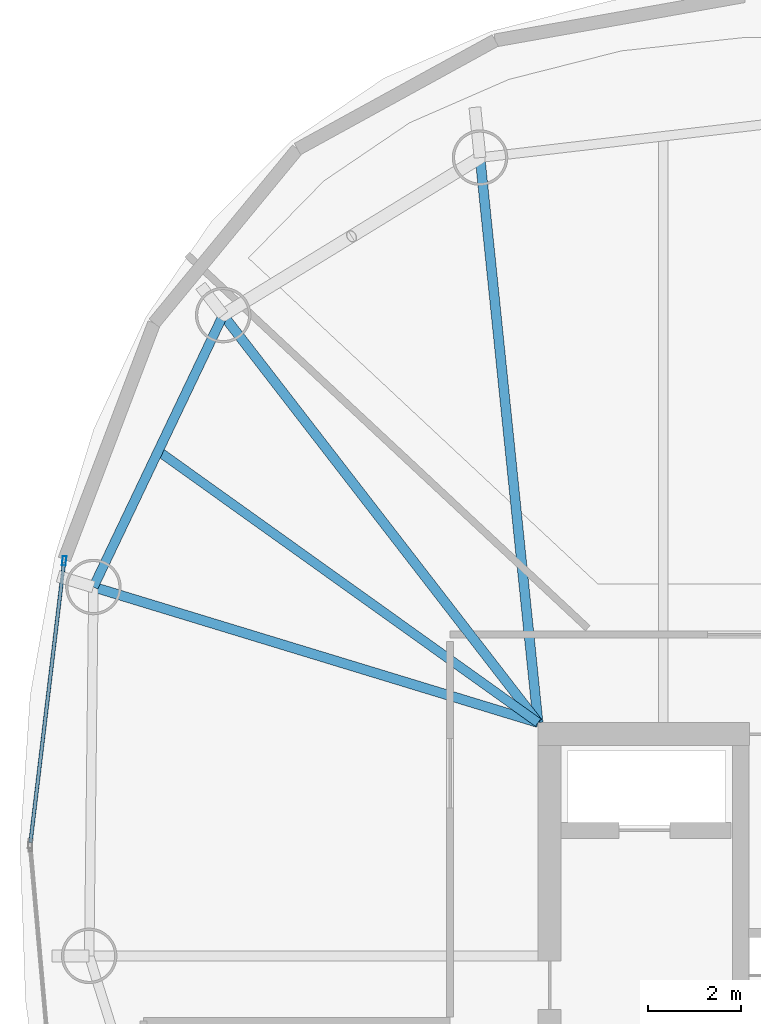
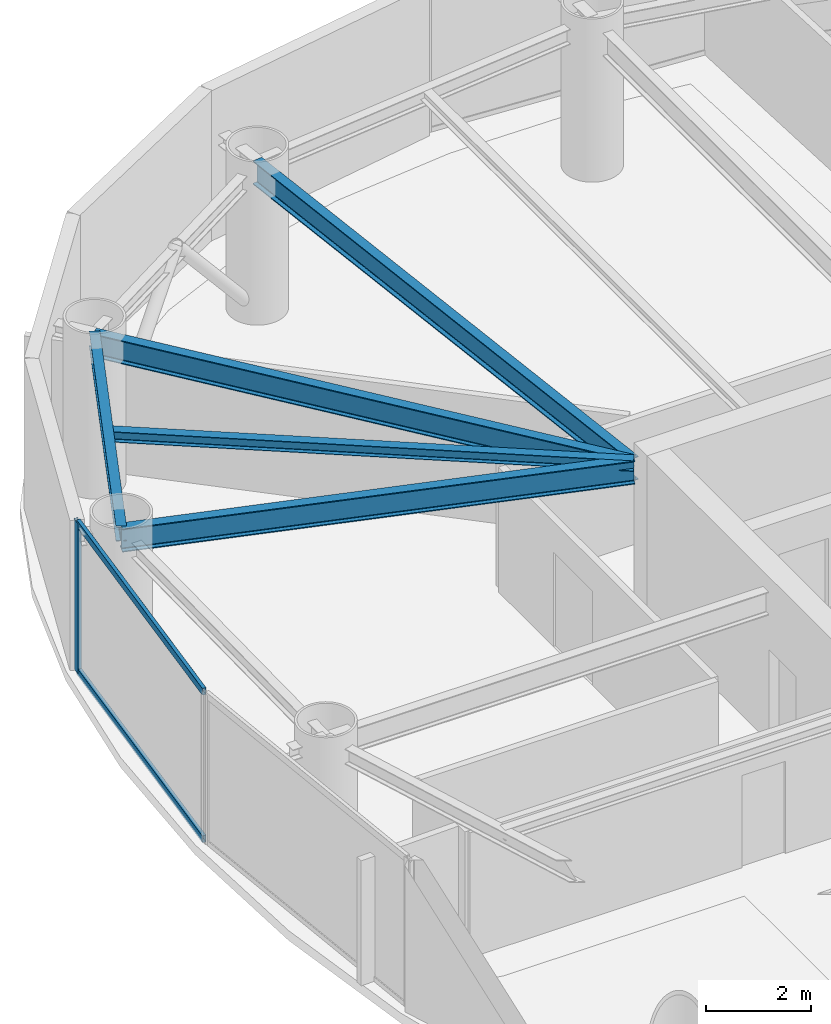
# One storey, part 8 of 18: 5 beams, 3 members, 1 element without a shape of its own.
"""IFC4 building model written with IfcOpenShell, lengths in metres."""

from ifc_helpers import new_model, si_unit, direction, frame, origin, origin_2d, place, context, subcontext, project, spatial, hollow_rectangle, i_section, extrude, material, layer, layer_set, material_profile, profile_set, type_object, element, aggregate, save


model = new_model("IFC4")

# Units and contexts
model_context = context("Model", 3, precision=1e-05, world=origin(), true_north=direction((0.0, 1.0)))
body_context = subcontext(model_context, "Body", "Model", "MODEL_VIEW")
ifc_project = project(units=[si_unit("LENGTHUNIT", "METRE"), si_unit("AREAUNIT", "SQUARE_METRE"), si_unit("VOLUMEUNIT", "CUBIC_METRE"), si_unit("PLANEANGLEUNIT", "RADIAN"), si_unit("MASSUNIT", "GRAM", prefix="KILO")], contexts=[model_context])

# Site, building, storey
site_placement = place(None, origin())
site = spatial("IfcSite", under=ifc_project, at=site_placement, CompositionType="ELEMENT")
building_placement = place(site_placement, origin())
building = spatial("IfcBuilding", under=site, at=building_placement, Name="Bramvorn Convention Spire", CompositionType="ELEMENT")
storey_placement = place(building_placement, frame((0.0, 0.0, 232.800048828125)))
storey = spatial("IfcBuildingStorey", under=building, at=storey_placement, Name="L59", CompositionType="ELEMENT", Elevation=232.800048828125)

# Beams
ifc_material_1 = material(Name="Steel CSA G40.21 Grade 350 (350W)", Category="steel")
ifc_material_profile_1 = material_profile(ifc_material_1, i_section(OverallWidth=0.201904296875, OverallDepth=0.2470703125, WebThickness=0.00732421875, FlangeThickness=0.010986328125, FilletRadius=0.011962890625, at=origin_2d()))
ifc_profile_set_1 = profile_set([ifc_material_profile_1], Name="Steel CSA G40.21 Grade 350 (350W) - W250X49")
beam_type_1 = type_object("IfcBeamType", Name="BM-W250X49", PredefinedType="JOIST", material=ifc_profile_set_1)
beam_1_placement = place(storey_placement, frame((26.75, 33.449951171875, 3.37646484375), z_axis=(-0.813471895271, 0.581604225916, 0.0), x_axis=(-0.581604225916, -0.813471895271, 0.0)))
element("IfcBeam", 1, at=beam_1_placement, inside=storey, type_object=beam_type_1, Name="L59 composite floor joist 09", PredefinedType="JOIST", context=body_context, shape_type="SweptSolid", body=[
    extrude(i_section(OverallWidth=0.201904296875, OverallDepth=0.2470703125, WebThickness=0.00732421875, FlangeThickness=0.010986328125, FilletRadius=0.011962890625, at=origin_2d()), origin(), (0.0, 0.0, 1.0), 10.093505859375),
])
ifc_material_profile_2 = material_profile(ifc_material_1, i_section(OverallWidth=0.205078125, OverallDepth=0.35400390625, WebThickness=0.009521484375, FlangeThickness=0.016845703125, FilletRadius=0.014892578125, at=origin_2d()))
ifc_profile_set_2 = profile_set([ifc_material_profile_2], Name="Steel CSA G40.21 Grade 350 (350W) - W360X79")
beam_type_2 = type_object("IfcBeamType", Name="BM-W360X79", PredefinedType="JOIST", material=ifc_profile_set_2)
beam_2_placement = place(storey_placement, frame((19.941650390625, 42.260009765625, 3.322998046875), z_axis=(-0.430556138422, -0.902563799223, 0.0), x_axis=(0.902563799223, -0.430556138422, 0.0)))
element("IfcBeam", 2, at=beam_2_placement, inside=storey, type_object=beam_type_2, Name="L59 mega-column ring beam 09", PredefinedType="JOIST", context=body_context, shape_type="SweptSolid", body=[
    extrude(i_section(OverallWidth=0.205078125, OverallDepth=0.35400390625, WebThickness=0.009521484375, FlangeThickness=0.016845703125, FilletRadius=0.014892578125, at=origin_2d()), origin(), (0.0, 0.0, 1.0), 6.51416015625),
])
ifc_material_profile_3 = material_profile(ifc_material_1, i_section(OverallWidth=0.2119140625, OverallDepth=0.5439453125, WebThickness=0.01318359375, FlangeThickness=0.021240234375, FilletRadius=0.01904296875, at=origin_2d()))
ifc_profile_set_3 = profile_set([ifc_material_profile_3], Name="Steel CSA G40.21 Grade 350 (350W) - W530X123")
beam_type_3 = type_object("IfcBeamType", Name="BM-W530X123", PredefinedType="BEAM", material=ifc_profile_set_3)
beam_3_placement = place(storey_placement, frame((26.75, 33.449951171875, 3.22802734375), z_axis=(-0.10216509146, 0.994767457292, 0.0), x_axis=(-0.994767457292, -0.10216509146, 0.0)))
element("IfcBeam", 3, at=beam_3_placement, inside=storey, type_object=beam_type_3, Name="L59 radial floor girder MC08", PredefinedType="BEAM", context=body_context, shape_type="SweptSolid", body=[
    extrude(i_section(OverallWidth=0.2119140625, OverallDepth=0.5439453125, WebThickness=0.01318359375, FlangeThickness=0.021240234375, FilletRadius=0.01904296875, at=origin_2d()), origin(), (0.0, 0.0, 1.0), 12.278076171875),
])
beam_4_placement = place(storey_placement, frame((26.75, 33.449951171875, 3.22802734375), z_axis=(-0.611479951477, 0.791259925019, 0.0), x_axis=(-0.791259925019, -0.611479951477, 0.0)))
element("IfcBeam", 4, at=beam_4_placement, inside=storey, type_object=beam_type_3, Name="L59 radial floor girder MC09", PredefinedType="BEAM", context=body_context, shape_type="SweptSolid", body=[
    extrude(i_section(OverallWidth=0.2119140625, OverallDepth=0.5439453125, WebThickness=0.01318359375, FlangeThickness=0.021240234375, FilletRadius=0.01904296875, at=origin_2d()), origin(), (0.0, 0.0, 1.0), 11.13427734375),
])
beam_5_placement = place(storey_placement, frame((26.75, 33.449951171875, 3.22802734375), z_axis=(-0.95653637984, 0.291613021044, 0.0), x_axis=(-0.291613021044, -0.95653637984, 0.0)))
element("IfcBeam", 5, at=beam_5_placement, inside=storey, type_object=beam_type_3, Name="L59 radial floor girder MC10", PredefinedType="BEAM", context=body_context, shape_type="SweptSolid", body=[
    extrude(i_section(OverallWidth=0.2119140625, OverallDepth=0.5439453125, WebThickness=0.01318359375, FlangeThickness=0.021240234375, FilletRadius=0.01904296875, at=origin_2d()), origin(), (0.0, 0.0, 1.0), 10.0498046875),
])

# Curtain wall, members
ifc_material_2 = material(Name="Anodised Bronze Unitised Curtain Wall", Category="aluminium")
ifc_layer = layer(ifc_material_2, 0.179931640625)
ifc_layer_set = layer_set([ifc_layer], Name="Anodised Bronze Unitised Curtain Wall - CW-OFF-FRIT")
curtain_wall_type = type_object("IfcCurtainWallType", Name="CW-OFF-FRIT", PredefinedType="USERDEFINED", material=ifc_layer_set)
curtain_wall_placement = place(storey_placement, origin())
curtain_wall = element("IfcCurtainWall", 6, at=curtain_wall_placement, inside=storey, type_object=curtain_wall_type, Name="L59 fritted glass curtain wall 15", ObjectType="UNITISED CURTAIN WALL", PredefinedType="USERDEFINED")
ifc_material_3 = material(Name="Anodised Bronze Aluminium 6063-T6", Category="aluminium")
ifc_material_profile_4 = material_profile(ifc_material_3, hollow_rectangle(XDim=0.080078125, YDim=0.199951171875, WallThickness=0.00390625, InnerFilletRadius=0.0009765625, OuterFilletRadius=0.00390625, at=origin_2d()))
ifc_profile_set_4 = profile_set([ifc_material_profile_4], Name="Anodised Bronze Aluminium 6063-T6 - CWM80X200")
member_type_1 = type_object("IfcMemberType", Name="CW-MUL-180", PredefinedType="MULLION", material=ifc_profile_set_4)
member_1_placement = place(storey_placement, frame((16.505615234375, 36.947509765625, 0.0), z_axis=(0.0, 0.0, 1.0), x_axis=(-0.992906522495, 0.118897592856, 0.0)))
member_1 = element("IfcMember", 7, at=member_1_placement, type_object=member_type_1, Name="CW3 mullion 2", PredefinedType="MULLION", context=body_context, shape_type="SweptSolid", body=[
    extrude(hollow_rectangle(XDim=0.080078125, YDim=0.199951171875, WallThickness=0.00390625, InnerFilletRadius=0.0009765625, OuterFilletRadius=0.00390625, at=origin_2d()), origin(), (0.0, 0.0, 1.0), 3.5),
])
ifc_material_profile_5 = material_profile(ifc_material_3, hollow_rectangle(XDim=0.080078125, YDim=0.159912109375, WallThickness=0.00390625, InnerFilletRadius=0.0009765625, OuterFilletRadius=0.00390625, at=origin_2d()))
ifc_profile_set_5 = profile_set([ifc_material_profile_5], Name="Anodised Bronze Aluminium 6063-T6 - CWT80X160")
member_type_2 = type_object("IfcMemberType", Name="CW-TRN-150", PredefinedType="USERDEFINED", material=ifc_profile_set_5)
member_2_placement = place(storey_placement, frame((15.77587890625, 30.854736328125, 0.030029296875), z_axis=(0.118905579192, 0.992905566123, 0.0), x_axis=(-0.992905566123, 0.118905579192, 0.0)))
member_2 = element("IfcMember", 8, at=member_2_placement, type_object=member_type_2, Name="CW3 transom 1.1", ObjectType="TRANSOM", PredefinedType="USERDEFINED", context=body_context, shape_type="SweptSolid", body=[
    extrude(hollow_rectangle(XDim=0.080078125, YDim=0.159912109375, WallThickness=0.00390625, InnerFilletRadius=0.0009765625, OuterFilletRadius=0.00390625, at=origin_2d()), origin(), (0.0, 0.0, 1.0), 6.106201171875),
])
member_3_placement = place(storey_placement, frame((15.77587890625, 30.854736328125, 3.469970703125), z_axis=(0.118905579192, 0.992905566123, 0.0), x_axis=(-0.992905566123, 0.118905579192, 0.0)))
member_3 = element("IfcMember", 9, at=member_3_placement, type_object=member_type_2, Name="CW3 transom 1.2", ObjectType="TRANSOM", PredefinedType="USERDEFINED", context=body_context, shape_type="SweptSolid", body=[
    extrude(hollow_rectangle(XDim=0.080078125, YDim=0.159912109375, WallThickness=0.00390625, InnerFilletRadius=0.0009765625, OuterFilletRadius=0.00390625, at=origin_2d()), origin(), (0.0, 0.0, 1.0), 6.106201171875),
])
aggregate(curtain_wall, [member_1, member_2, member_3])

save(model, "model.ifc")
